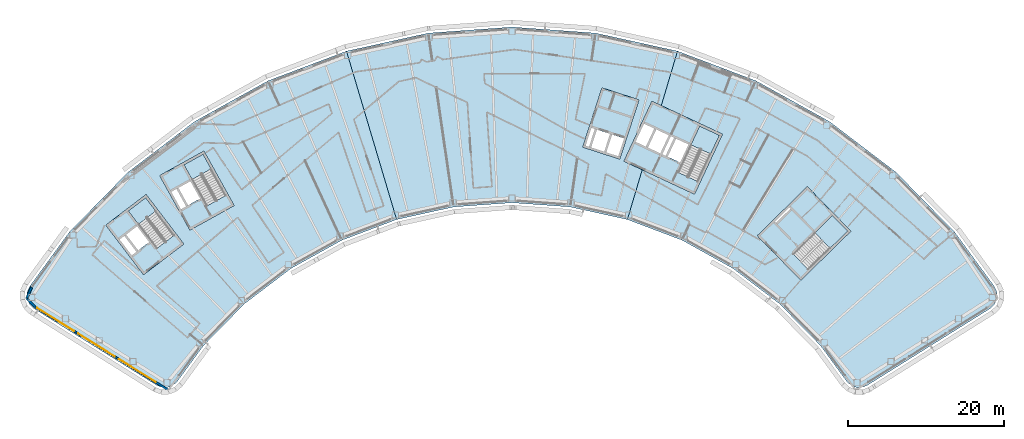
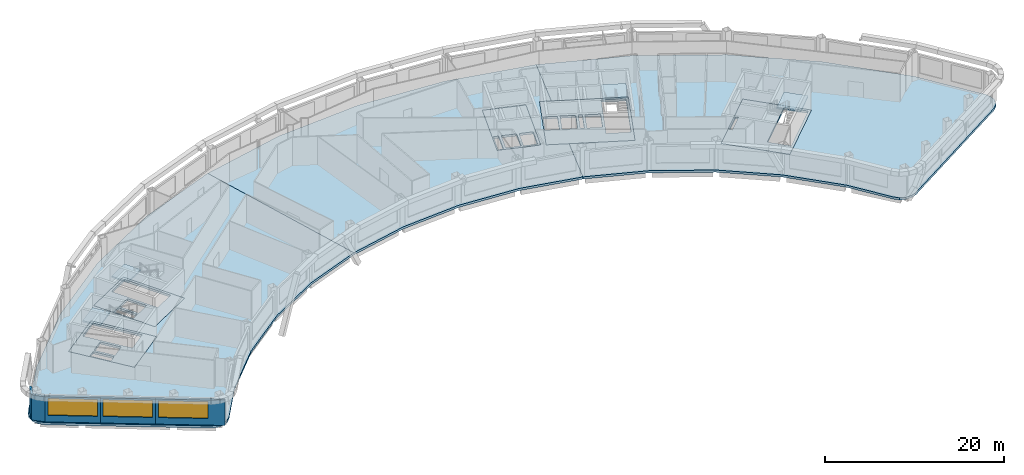
# One storey, part 4 of 16: 12 slabs, 5 walls, 3 windows, 3 openings, 4 elements without a shape of their own.
"""IFC4 building model written with IfcOpenShell, lengths in metres."""

from ifc_helpers import new_model, si_unit, direction, frame, frame_2d, origin, place, context, subcontext, project, spatial, polyline, rectangle, outline, extrude, material, layer, layer_set, type_object, element, fill, aggregate, save


model = new_model("IFC4")

# Units and contexts
model_context = context("Model", 3, precision=1e-05, world=origin(), true_north=direction((0.0, 1.0)))
body_context = subcontext(model_context, "Body", "Model", "MODEL_VIEW")
ifc_project = project(units=[si_unit("LENGTHUNIT", "METRE"), si_unit("AREAUNIT", "SQUARE_METRE"), si_unit("VOLUMEUNIT", "CUBIC_METRE"), si_unit("PLANEANGLEUNIT", "RADIAN"), si_unit("MASSUNIT", "GRAM", prefix="KILO")], contexts=[model_context])

# Site, building, storey
site_placement = place(None, origin())
site = spatial("IfcSite", under=ifc_project, at=site_placement, CompositionType="ELEMENT")
building_placement = place(site_placement, origin())
building = spatial("IfcBuilding", under=site, at=building_placement, Name="Tuul Gate Civic Tower", CompositionType="ELEMENT")
storey_placement = place(building_placement, frame((0.0, 0.0, 261.0)))
storey = spatial("IfcBuildingStorey", under=building, at=storey_placement, Name="Level 59", CompositionType="ELEMENT", Elevation=261.0)

# Slabs
ifc_material_1 = material(Name="Concrete C40/50", Category="concrete")
ifc_layer_1 = layer(ifc_material_1, 0.300048828125)
ifc_layer_set_1 = layer_set([ifc_layer_1], Name="Concrete C40/50")
slab_type_1 = type_object("IfcSlabType", Name="Core floor slab 300", PredefinedType="FLOOR", material=ifc_layer_set_1)
slab_1_placement = place(storey_placement, frame((0.0, 0.0, -0.300048828125)))
element("IfcSlab", 1, at=slab_1_placement, inside=storey, type_object=slab_type_1, Name="FLOOR SLAB", PredefinedType="FLOOR", context=body_context, shape_type="SweptSolid", body=[
    extrude(outline(polyline([(-31.10009765625, -13.7890625), (-35.946044921875, -7.423828125), (-41.11767578125, -11.361572265625), (-36.271484375, -17.726806640625), (-31.10009765625, -13.7890625)]), holes=[polyline([(-35.561767578125, -13.541259765625), (-37.1064453125, -11.512451171875), (-38.498779296875, -12.572509765625), (-36.9541015625, -14.6015625), (-35.561767578125, -13.541259765625)]), polyline([(-37.19287109375, -14.783203125), (-38.737548828125, -12.75439453125), (-39.45361328125, -13.299560546875), (-37.908935546875, -15.328369140625), (-37.19287109375, -14.783203125)]), polyline([(-32.33935546875, -12.65771484375), (-34.56591796875, -14.352783203125), (-38.229736328125, -9.54052734375), (-36.003173828125, -7.845458984375), (-32.33935546875, -12.65771484375)])]), origin(), (0.0, 0.0, 1.0), 0.300048828125),
])
slab_2_placement = place(storey_placement, frame((0.0, 0.0, -0.300048828125)))
element("IfcSlab", 2, at=slab_2_placement, inside=storey, type_object=slab_type_1, Name="FLOOR SLAB", PredefinedType="FLOOR", context=body_context, shape_type="SweptSolid", body=[
    extrude(outline(polyline([(-24.638916015625, -8.846923828125), (-28.51708984375, -1.849853515625), (-34.2021484375, -5.0009765625), (-30.32421875, -11.998046875), (-24.638916015625, -8.846923828125)]), holes=[polyline([(-29.0185546875, -7.958740234375), (-30.254638671875, -5.728515625), (-31.785400390625, -6.576904296875), (-30.54931640625, -8.80712890625), (-29.0185546875, -7.958740234375)]), polyline([(-30.8115234375, -8.95263671875), (-32.047607421875, -6.72216796875), (-32.8349609375, -7.158447265625), (-31.5986328125, -9.388916015625), (-30.8115234375, -8.95263671875)]), polyline([(-25.702392578125, -7.548828125), (-28.14990234375, -8.905517578125), (-31.08203125, -3.615234375), (-28.63427734375, -2.2587890625), (-25.702392578125, -7.548828125)])]), origin(), (0.0, 0.0, 1.0), 0.300048828125),
])
slab_3_placement = place(storey_placement, frame((0.0, 0.0, -0.300048828125)))
element("IfcSlab", 3, at=slab_3_placement, inside=storey, type_object=slab_type_1, Name="FLOOR SLAB", PredefinedType="FLOOR", context=body_context, shape_type="SweptSolid", body=[
    extrude(outline(polyline([(48.117919921875, -18.43310546875), (54.545166015625, -12.1328125), (48.945068359375, -6.419921875), (42.517822265625, -12.719970703125), (48.117919921875, -18.43310546875)]), holes=[polyline([(44.93896484375, -11.046875), (46.760009765625, -9.261962890625), (46.514892578125, -9.011962890625), (44.69384765625, -10.797119140625), (44.93896484375, -11.046875)]), polyline([(49.086181640625, -17.062744140625), (47.12744140625, -15.064208984375), (52.160888671875, -10.130126953125), (54.11962890625, -12.128662109375), (49.086181640625, -17.062744140625)])]), origin(), (0.0, 0.0, 1.0), 0.300048828125),
])
slab_4_placement = place(storey_placement, frame((0.0, 0.0, -0.300048828125)))
element("IfcSlab", 4, at=slab_4_placement, inside=storey, type_object=slab_type_1, Name="FLOOR SLAB", PredefinedType="FLOOR", context=body_context, shape_type="SweptSolid", body=[
    extrude(outline(polyline([(34.465087890625, -7.385986328125), (38.056884765625, 0.31787109375), (28.993896484375, 4.543701171875), (25.40185546875, -3.159912109375), (34.465087890625, -7.385986328125)]), holes=[polyline([(32.60888671875, -3.32080078125), (33.6865234375, -1.009765625), (32.1005859375, -0.27001953125), (31.02294921875, -2.581298828125), (32.60888671875, -3.32080078125)]), polyline([(30.0712890625, -2.137451171875), (31.14892578125, 0.173583984375), (29.562744140625, 0.9130859375), (28.4853515625, -1.39794921875), (30.0712890625, -2.137451171875)]), polyline([(30.751220703125, -2.454345703125), (31.82861328125, -0.143310546875), (31.4208984375, 0.046875), (30.34326171875, -2.264404296875), (30.751220703125, -2.454345703125)]), polyline([(28.21337890625, -1.27099609375), (29.291015625, 1.0400390625), (27.8408203125, 1.71630859375), (26.76318359375, -0.594970703125), (28.21337890625, -1.27099609375)]), polyline([(34.889892578125, -5.7626953125), (32.353759765625, -4.580078125), (35.120849609375, 1.354736328125), (37.6572265625, 0.17236328125), (34.889892578125, -5.7626953125)])]), origin(), (0.0, 0.0, 1.0), 0.300048828125),
])
ifc_material_2 = material(Name="Concrete C40/50", Category="concrete")
ifc_layer_2 = layer(ifc_material_2, 0.300048828125)
ifc_layer_set_2 = layer_set([ifc_layer_2], Name="Concrete C40/50")
slab_type_2 = type_object("IfcSlabType", Name="Core floor slab 300 non-bearing", PredefinedType="FLOOR", material=ifc_layer_set_2)
slab_5_placement = place(storey_placement, frame((0.0, 0.0, -0.300048828125)))
element("IfcSlab", 5, at=slab_5_placement, inside=storey, type_object=slab_type_2, Name="FLOOR SLAB", PredefinedType="FLOOR", context=body_context, shape_type="SweptSolid", body=[
    extrude(outline(polyline([(24.864990234375, -2.888916015625), (27.337890625, 4.71923828125), (22.58251953125, 6.264404296875), (20.109619140625, -1.343994140625), (24.864990234375, -2.888916015625)]), holes=[polyline([(24.67236328125, -2.510986328125), (25.414306640625, -0.228515625), (23.892578125, 0.265869140625), (23.150634765625, -2.0166015625), (24.67236328125, -2.510986328125)]), polyline([(22.865478515625, -1.923828125), (23.607177734375, 0.358642578125), (21.94287109375, 0.8994140625), (21.201171875, -1.383056640625), (22.865478515625, -1.923828125)]), polyline([(20.869384765625, -1.43310546875), (21.65771484375, 0.9921875), (21.0869140625, 1.177490234375), (20.298583984375, -1.24755859375), (20.869384765625, -1.43310546875)])]), origin(), (0.0, 0.0, 1.0), 0.300048828125),
])

# Stair, slab
ifc_material_3 = material(Name="Concrete C40/50", Category="concrete")
stair_type = type_object("IfcStairType", Name="Exit stair", PredefinedType="HALF_TURN_STAIR", material=ifc_material_3)
stair_1_placement = place(storey_placement, origin())
stair_1 = element("IfcStair", 6, at=stair_1_placement, inside=storey, type_object=stair_type, Name="Level 59 ST-1", PredefinedType="HALF_TURN_STAIR")
ifc_material_4 = material(Name="Concrete C40/50", Category="concrete")
ifc_layer_3 = layer(ifc_material_4, 0.199951171875)
ifc_layer_set_3 = layer_set([ifc_layer_3], Name="Concrete C40/50")
slab_type_3 = type_object("IfcSlabType", Name="Exit stair landing", PredefinedType="LANDING", material=ifc_layer_set_3)
slab_6_placement = place(storey_placement, frame((0.0, 0.0, 1.89990234375)))
slab_6 = element("IfcSlab", 7, at=slab_6_placement, type_object=slab_type_3, Name="ST-1 landing 1", PredefinedType="LANDING", context=body_context, shape_type="SweptSolid", body=[
    extrude(outline(polyline([(-34.699462890625, -9.554931640625), (-36.9287109375, -11.252197265625), (-38.23193359375, -9.540283203125), (-36.0029296875, -7.843017578125), (-34.699462890625, -9.554931640625)])), origin(), (0.0, 0.0, 1.0), 0.2001953125),
])
aggregate(stair_1, [slab_6])

stair_2_placement = place(storey_placement, origin())
stair_2 = element("IfcStair", 8, at=stair_2_placement, inside=storey, type_object=stair_type, Name="Level 59 ST-2", PredefinedType="HALF_TURN_STAIR")
slab_7_placement = place(storey_placement, frame((0.0, 0.0, 1.89990234375)))
slab_7 = element("IfcSlab", 9, at=slab_7_placement, type_object=slab_type_3, Name="ST-2 landing 1", PredefinedType="LANDING", context=body_context, shape_type="SweptSolid", body=[
    extrude(outline(polyline([(-27.5908203125, -4.138427734375), (-30.041015625, -5.49658203125), (-31.084228515625, -3.61474609375), (-28.6337890625, -2.256591796875), (-27.5908203125, -4.138427734375)])), origin(), (0.0, 0.0, 1.0), 0.2001953125),
])
aggregate(stair_2, [slab_7])

stair_3_placement = place(storey_placement, origin())
stair_3 = element("IfcStair", 10, at=stair_3_placement, inside=storey, type_object=stair_type, Name="Level 59 ST-3", PredefinedType="HALF_TURN_STAIR")
slab_8_placement = place(storey_placement, frame((0.0, 0.0, 1.89990234375)))
slab_8 = element("IfcSlab", 11, at=slab_8_placement, type_object=slab_type_3, Name="ST-3 landing 1", PredefinedType="LANDING", context=body_context, shape_type="SweptSolid", body=[
    extrude(outline(polyline([(51.871337890625, -14.3349609375), (49.91015625, -12.334228515625), (52.160888671875, -10.1279296875), (54.1220703125, -12.128662109375), (51.871337890625, -14.3349609375)])), origin(), (0.0, 0.0, 1.0), 0.2001953125),
])
aggregate(stair_3, [slab_8])

stair_4_placement = place(storey_placement, origin())
stair_4 = element("IfcStair", 12, at=stair_4_placement, inside=storey, type_object=stair_type, Name="Level 59 ST-4", PredefinedType="HALF_TURN_STAIR")
slab_9_placement = place(storey_placement, frame((0.0, 0.0, 1.89990234375)))
slab_9 = element("IfcSlab", 13, at=slab_9_placement, type_object=slab_type_3, Name="ST-4 landing 1", PredefinedType="LANDING", context=body_context, shape_type="SweptSolid", body=[
    extrude(outline(polyline([(36.538818359375, -2.230224609375), (33.999755859375, -1.046142578125), (35.1201171875, 1.35693359375), (37.659423828125, 0.173095703125), (36.538818359375, -2.230224609375)])), origin(), (0.0, 0.0, 1.0), 0.2001953125),
])
aggregate(stair_4, [slab_9])

# Slabs
ifc_material_5 = material(Name="Concrete C35/45", Category="concrete")
ifc_layer_4 = layer(ifc_material_5, 0.300048828125)
ifc_layer_set_4 = layer_set([ifc_layer_4], Name="Concrete C35/45")
slab_type_4 = type_object("IfcSlabType", Name="STR-FLOOR-SLAB-300", PredefinedType="FLOOR", material=ifc_layer_set_4)
slab_10_placement = place(storey_placement, frame((0.0, 0.0, -0.300048828125)))
element("IfcSlab", 14, at=slab_10_placement, inside=storey, type_object=slab_type_4, Name="Level 59/slab/W", PredefinedType="FLOOR", context=body_context, shape_type="SweptSolid", body=[
    extrude(outline(polyline([(-10.802978515625, -13.294921875), (-3.782958984375, -10.64111328125), (-10.217041015625, 10.98095703125), (-20.285888671875, 7.174072265625), (-29.699951171875, 1.955078125), (-38.264892578125, -4.56591796875), (-45.800048828125, -12.2529296875), (-50.881103515625, -19.208984375), (-51.217041015625, -19.951904296875), (-51.22900390625, -20.76806640625), (-50.9140625, -21.52001953125), (-50.324951171875, -22.0849609375), (-34.594970703125, -31.9140625), (-33.90087890625, -32.18408203125), (-33.156005859375, -32.181884765625), (-32.464111328125, -31.906982421875), (-31.919921875, -31.39697265625), (-28.591064453125, -26.839111328125), (-23.337890625, -21.47998046875), (-17.366943359375, -16.93408203125), (-10.802978515625, -13.294921875)]), holes=[polyline([(-31.10009765625, -13.7890625), (-36.27197265625, -17.72705078125), (-41.117919921875, -11.362060546875), (-35.946044921875, -7.424072265625), (-31.10009765625, -13.7890625)]), polyline([(-24.638916015625, -8.846923828125), (-30.323974609375, -11.998046875), (-34.201904296875, -5.0009765625), (-28.51708984375, -1.85009765625), (-24.638916015625, -8.846923828125)])]), origin(), (0.0, 0.0, 1.0), 0.300048828125),
])
slab_11_placement = place(storey_placement, frame((0.0, 0.0, -0.300048828125)))
element("IfcSlab", 15, at=slab_11_placement, inside=storey, type_object=slab_type_4, Name="Level 59/slab/M", PredefinedType="FLOOR", context=body_context, shape_type="SweptSolid", body=[
    extrude(outline(polyline([(18.51611328125, -9.02490234375), (25.844970703125, -10.64111328125), (27.74609375, -4.2529296875), (25.402099609375, -3.159912109375), (28.993896484375, 4.5439453125), (30.197021484375, 3.98291015625), (32.279052734375, 10.98095703125), (21.76708984375, 13.298095703125), (11.031005859375, 14.075927734375), (0.294921875, 13.298095703125), (-10.217041015625, 10.98095703125), (-3.782958984375, -10.64111328125), (3.5458984375, -9.02490234375), (11.031005859375, -8.48291015625), (18.51611328125, -9.02490234375)]), holes=[polyline([(20.110107421875, -1.343994140625), (22.58203125, 6.264892578125), (27.337890625, 4.719970703125), (24.864990234375, -2.888916015625), (20.110107421875, -1.343994140625)])]), origin(), (0.0, 0.0, 1.0), 0.300048828125),
])
slab_12_placement = place(storey_placement, frame((0.0, 0.0, -0.300048828125)))
element("IfcSlab", 16, at=slab_12_placement, inside=storey, type_object=slab_type_4, Name="Level 59/slab/E", PredefinedType="FLOOR", context=body_context, shape_type="SweptSolid", body=[
    extrude(outline(polyline([(55.962890625, -32.18408203125), (56.656982421875, -31.9140625), (72.386962890625, -22.0849609375), (72.97607421875, -21.52001953125), (73.291015625, -20.76806640625), (73.279052734375, -19.951904296875), (72.94189453125, -19.208984375), (67.862060546875, -12.2529296875), (60.325927734375, -4.56591796875), (51.761962890625, 1.955078125), (42.347900390625, 7.174072265625), (32.279052734375, 10.98095703125), (30.197021484375, 3.98291015625), (38.056884765625, 0.318115234375), (34.465087890625, -7.385986328125), (27.74609375, -4.2529296875), (25.844970703125, -10.64111328125), (32.864990234375, -13.294921875), (39.428955078125, -16.93408203125), (45.39990234375, -21.47998046875), (50.653076171875, -26.839111328125), (53.98193359375, -31.39697265625), (54.52587890625, -31.906982421875), (55.218017578125, -32.181884765625), (55.962890625, -32.18408203125)]), holes=[polyline([(48.117919921875, -18.43310546875), (42.51806640625, -12.719970703125), (48.945068359375, -6.419921875), (54.544921875, -12.133056640625), (48.117919921875, -18.43310546875)])]), origin(), (0.0, 0.0, 1.0), 0.300048828125),
])

# Walls
ifc_material_6 = material(Name="Precast concrete C40/50", Category="concrete")
ifc_layer_5 = layer(ifc_material_6, 0.25)
ifc_layer_set_5 = layer_set([ifc_layer_5], Name="Precast concrete C40/50")
wall_type = type_object("IfcWallType", Name="External wall", PredefinedType="STANDARD", material=ifc_layer_set_5)
wall_1_placement = place(storey_placement, frame((-50.645263671875, -19.3486328125, 0.0), z_axis=(0.0, 0.0, 1.0), x_axis=(-0.412995937313, -0.9107328674, 0.0)))
element("IfcWall", 17, at=wall_1_placement, inside=storey, type_object=wall_type, Name="External wall", PredefinedType="STANDARD", context=body_context, shape_type="SweptSolid", body=[
    extrude(rectangle(XDim=1.572998046875, YDim=0.25, at=frame_2d((0.78662109375, 0.0))), origin(), (0.0, 0.0, 1.0), 3.449951171875),
])
wall_2_placement = place(storey_placement, frame((-51.294921875, -20.78125, 0.0), z_axis=(0.0, 0.0, 1.0), x_axis=(0.722783622894, -0.69107440589, 0.0)))
element("IfcWall", 18, at=wall_2_placement, inside=storey, type_object=wall_type, Name="External wall", PredefinedType="STANDARD", context=body_context, shape_type="SweptSolid", body=[
    extrude(rectangle(XDim=1.570556640625, YDim=0.25, at=frame_2d((0.78515625, 0.0))), origin(), (0.0, 0.0, 1.0), 3.449951171875),
])

# Wall, opening, window
wall_3_placement = place(storey_placement, frame((-50.1796875, -21.85107421875, 0.0), z_axis=(0.0, 0.0, 1.0), x_axis=(0.848024923451, -0.529956346509, 0.0)))
wall_3 = element("IfcWall", 19, at=wall_3_placement, inside=storey, type_object=wall_type, Name="External wall", PredefinedType="STANDARD", context=body_context, shape_type="SweptSolid", body=[
    extrude(rectangle(XDim=6.182861328125, YDim=0.25, at=frame_2d((3.09130859375, 0.0))), origin(), (0.0, 0.0, 1.0), 3.449951171875),
])
opening_1_placement = place(wall_3_placement, frame((0.31640625, 0.0, 0.89990234375)))
opening_1 = element("IfcOpeningElement", 20, at=opening_1_placement, cuts=wall_3, Name="Opening W24", PredefinedType="OPENING", context=body_context, shape_type="SweptSolid", body=[
    extrude(rectangle(XDim=5.550048828125, YDim=2.300048828125, at=frame_2d((2.77490234375, 1.14990234375))), frame((0.0, 0.135009765625, 0.0), z_axis=(0.0, -1.0, 0.0), x_axis=(1.0, 0.0, 0.0)), (0.0, 0.0, 1.0), 0.27001953125),
])
ifc_material_7 = material(Name="Glass", Category="glass")
window_type = type_object("IfcWindowType", Name="Window W24 5550 x 2300", PartitioningType="SINGLE_PANEL", PredefinedType="WINDOW", material=ifc_material_7)
window_1_placement = place(opening_1_placement, origin())
window_1 = element("IfcWindow", 21, at=window_1_placement, inside=storey, type_object=window_type, Name="Window", OverallHeight=2.300048828125, OverallWidth=5.550048828125, PartitioningType="SINGLE_PANEL", PredefinedType="WINDOW", context=body_context, shape_type="SweptSolid", body=[
    extrude(rectangle(XDim=5.550048828125, YDim=2.300048828125, at=frame_2d((2.77490234375, 1.14990234375))), frame((0.0, 0.030029296875, 0.0), z_axis=(0.0, -1.0, 0.0), x_axis=(1.0, 0.0, 0.0)), (0.0, 0.0, 1.0), 0.06005859375),
])
fill(opening_1, window_1)

wall_4_placement = place(storey_placement, frame((-44.9365234375, -25.127685546875, 0.0), z_axis=(0.0, 0.0, 1.0), x_axis=(0.848036012993, -0.529938600846, 0.0)))
wall_4 = element("IfcWall", 22, at=wall_4_placement, inside=storey, type_object=wall_type, Name="External wall", PredefinedType="STANDARD", context=body_context, shape_type="SweptSolid", body=[
    extrude(rectangle(XDim=6.18310546875, YDim=0.25, at=frame_2d((3.091552734375, 0.0))), origin(), (0.0, 0.0, 1.0), 3.449951171875),
])
opening_2_placement = place(wall_4_placement, frame((0.31640625, 0.0, 0.89990234375)))
opening_2 = element("IfcOpeningElement", 23, at=opening_2_placement, cuts=wall_4, Name="Opening W24", PredefinedType="OPENING", context=body_context, shape_type="SweptSolid", body=[
    extrude(rectangle(XDim=5.550048828125, YDim=2.300048828125, at=frame_2d((2.77490234375, 1.14990234375))), frame((0.0, 0.135009765625, 0.0), z_axis=(0.0, -1.0, 0.0), x_axis=(1.0, 0.0, 0.0)), (0.0, 0.0, 1.0), 0.27001953125),
])
window_2_placement = place(opening_2_placement, origin())
window_2 = element("IfcWindow", 24, at=window_2_placement, inside=storey, type_object=window_type, Name="Window", OverallHeight=2.300048828125, OverallWidth=5.550048828125, PartitioningType="SINGLE_PANEL", PredefinedType="WINDOW", context=body_context, shape_type="SweptSolid", body=[
    extrude(rectangle(XDim=5.550048828125, YDim=2.300048828125, at=frame_2d((2.77490234375, 1.14990234375))), frame((0.0, 0.030029296875, 0.0), z_axis=(0.0, -1.0, 0.0), x_axis=(1.0, 0.0, 0.0)), (0.0, 0.0, 1.0), 0.06005859375),
])
fill(opening_2, window_2)

wall_5_placement = place(storey_placement, frame((-39.693115234375, -28.404296875, 0.0), z_axis=(0.0, 0.0, 1.0), x_axis=(0.848019436648, -0.529965126274, 0.0)))
wall_5 = element("IfcWall", 25, at=wall_5_placement, inside=storey, type_object=wall_type, Name="External wall", PredefinedType="STANDARD", context=body_context, shape_type="SweptSolid", body=[
    extrude(rectangle(XDim=7.7880859375, YDim=0.25, at=frame_2d((3.89404296875, 0.0))), origin(), (0.0, 0.0, 1.0), 3.449951171875),
])
opening_3_placement = place(wall_5_placement, frame((0.31640625, 0.0, 0.89990234375)))
opening_3 = element("IfcOpeningElement", 26, at=opening_3_placement, cuts=wall_5, Name="Opening W24", PredefinedType="OPENING", context=body_context, shape_type="SweptSolid", body=[
    extrude(rectangle(XDim=5.550048828125, YDim=2.300048828125, at=frame_2d((2.77490234375, 1.14990234375))), frame((0.0, 0.135009765625, 0.0), z_axis=(0.0, -1.0, 0.0), x_axis=(1.0, 0.0, 0.0)), (0.0, 0.0, 1.0), 0.27001953125),
])
window_3_placement = place(opening_3_placement, origin())
window_3 = element("IfcWindow", 27, at=window_3_placement, inside=storey, type_object=window_type, Name="Window", OverallHeight=2.300048828125, OverallWidth=5.550048828125, PartitioningType="SINGLE_PANEL", PredefinedType="WINDOW", context=body_context, shape_type="SweptSolid", body=[
    extrude(rectangle(XDim=5.550048828125, YDim=2.300048828125, at=frame_2d((2.77490234375, 1.14990234375))), frame((0.0, 0.030029296875, 0.0), z_axis=(0.0, -1.0, 0.0), x_axis=(1.0, 0.0, 0.0)), (0.0, 0.0, 1.0), 0.06005859375),
])
fill(opening_3, window_3)

save(model, "model.ifc")
